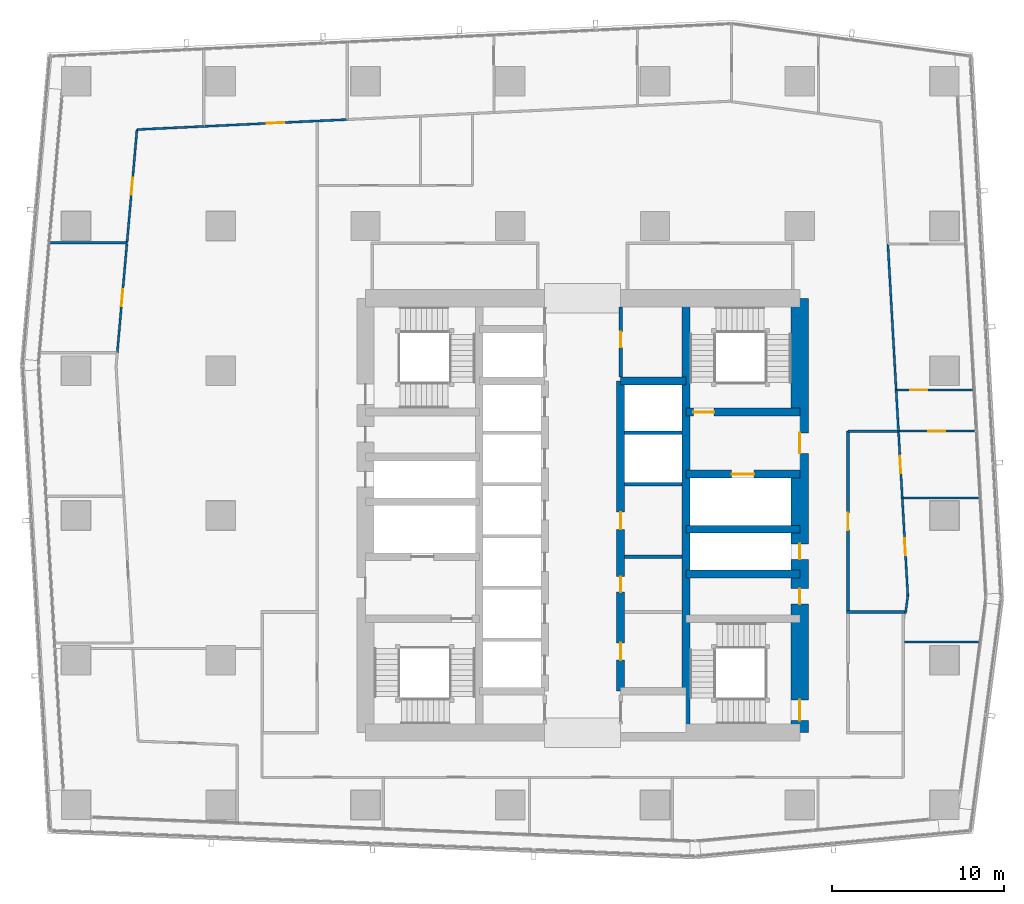
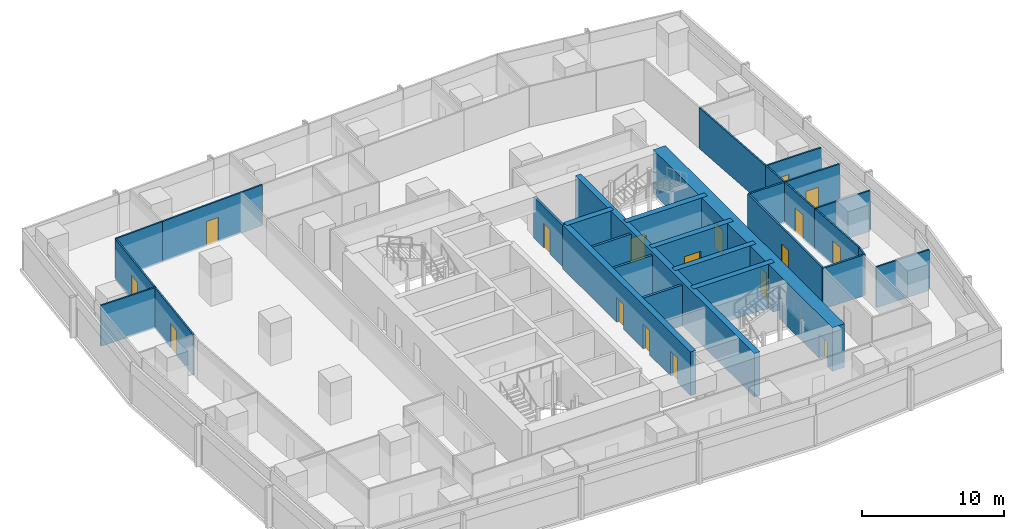
# One storey, part 29 of 39: 29 walls, 18 doors, 18 openings.
"""IFC4 building model written with IfcOpenShell, lengths in metres."""

from ifc_helpers import new_model, si_unit, direction, frame, frame_2d, origin, place, context, subcontext, project, spatial, rectangle, extrude, material, layer, layer_set, type_object, element, fill, save


model = new_model("IFC4")

# Units and contexts
model_context = context("Model", 3, precision=1e-05, world=origin(), true_north=direction((0.0, 1.0)))
body_context = subcontext(model_context, "Body", "Model", "MODEL_VIEW")
ifc_project = project(units=[si_unit("LENGTHUNIT", "METRE"), si_unit("AREAUNIT", "SQUARE_METRE"), si_unit("VOLUMEUNIT", "CUBIC_METRE"), si_unit("PLANEANGLEUNIT", "RADIAN"), si_unit("MASSUNIT", "GRAM", prefix="KILO")], contexts=[model_context])

# Site, building, storey
site_placement = place(None, origin())
site = spatial("IfcSite", under=ifc_project, at=site_placement, CompositionType="ELEMENT")
building_placement = place(site_placement, origin())
building = spatial("IfcBuilding", under=site, at=building_placement, Name="Rekha Terrace Tower", CompositionType="ELEMENT")
storey_placement = place(building_placement, frame((0.0, 0.0, 183.949951171875)))
storey = spatial("IfcBuildingStorey", under=building, at=storey_placement, Name="L46", CompositionType="ELEMENT", Elevation=183.949951171875)

# Wall
ifc_material_1 = material(Name="Concrete M60", Category="concrete")
ifc_layer_1 = layer(ifc_material_1, 0.449951171875)
ifc_layer_set_1 = layer_set([ifc_layer_1], Name="Concrete M60")
wall_type_1 = type_object("IfcWallType", Name="CI3 450 core internal shear wall", PredefinedType="SHEAR", material=ifc_layer_set_1)
wall_1_placement = place(storey_placement, frame((43.800048828125, 21.0, 0.0), z_axis=(0.0, 0.0, 1.0), x_axis=(0.0, 1.0, 0.0)))
element("IfcWall", 1, at=wall_1_placement, inside=storey, type_object=wall_type_1, Name="Core wall X438 L46", PredefinedType="SHEAR", context=body_context, shape_type="SweptSolid", body=[
    extrude(rectangle(XDim=25.199951171875, YDim=0.449951171875, at=frame_2d((12.60009765625, 0.0))), origin(), (0.0, 0.0, 1.0), 3.75),
])

# Wall, openings, doors
wall_2_placement = place(storey_placement, frame((40.0, 23.39990234375, 0.0), z_axis=(0.0, 0.0, 1.0), x_axis=(0.0, 1.0, 0.0)))
wall_2 = element("IfcWall", 2, at=wall_2_placement, inside=storey, type_object=wall_type_1, Name="Core wall X400 L46", PredefinedType="SHEAR", context=body_context, shape_type="SweptSolid", body=[
    extrude(rectangle(XDim=18.0, YDim=0.449951171875, at=frame_2d((9.0, 0.0))), origin(), (0.0, 0.0, 1.0), 3.75),
])
opening_1_placement = place(wall_2_placement, frame((1.800048828125, 0.0, 0.0)))
opening_1 = element("IfcOpeningElement", 3, at=opening_1_placement, cuts=wall_2, Name="Opening D3", PredefinedType="OPENING", context=body_context, shape_type="SweptSolid", body=[
    extrude(rectangle(XDim=1.0, YDim=2.10009765625, at=frame_2d((0.5, 1.050048828125))), frame((0.0, 0.23486328125, 0.0), z_axis=(0.0, -1.0, 0.0), x_axis=(1.0, 0.0, 0.0)), (0.0, 0.0, 1.0), 0.469970703125),
])
opening_2_placement = place(wall_2_placement, frame((5.75, 0.0, 0.0)))
opening_2 = element("IfcOpeningElement", 4, at=opening_2_placement, cuts=wall_2, Name="Opening D5", PredefinedType="OPENING", context=body_context, shape_type="SweptSolid", body=[
    extrude(rectangle(XDim=0.89990234375, YDim=2.10009765625, at=frame_2d((0.449951171875, 1.050048828125))), frame((0.0, 0.23486328125, 0.0), z_axis=(0.0, -1.0, 0.0), x_axis=(1.0, 0.0, 0.0)), (0.0, 0.0, 1.0), 0.469970703125),
])
opening_3_placement = place(wall_2_placement, frame((9.39990234375, 0.0, 0.0)))
opening_3 = element("IfcOpeningElement", 5, at=opening_3_placement, cuts=wall_2, Name="Opening D3", PredefinedType="OPENING", context=body_context, shape_type="SweptSolid", body=[
    extrude(rectangle(XDim=1.0, YDim=2.10009765625, at=frame_2d((0.5, 1.050048828125))), frame((0.0, 0.23486328125, 0.0), z_axis=(0.0, -1.0, 0.0), x_axis=(1.0, 0.0, 0.0)), (0.0, 0.0, 1.0), 0.469970703125),
])
ifc_material_2 = material(Name="Laminated timber fire door", Category="wood")
door_type_1 = type_object("IfcDoorType", Name="D3 1000x2100 WC door", OperationType="SINGLE_SWING_LEFT", PredefinedType="DOOR", material=ifc_material_2)
door_1_placement = place(opening_1_placement, origin())
door_1 = element("IfcDoor", 6, at=door_1_placement, inside=storey, type_object=door_type_1, Name="Door staff wc L46", OperationType="SINGLE_SWING_LEFT", OverallHeight=2.10009765625, OverallWidth=1.0, PredefinedType="DOOR", context=body_context, shape_type="SweptSolid", body=[
    extrude(rectangle(XDim=1.0, YDim=2.10009765625, at=frame_2d((0.5, 1.050048828125))), frame((0.0, 0.02490234375, 0.0), z_axis=(0.0, -1.0, 0.0), x_axis=(1.0, 0.0, 0.0)), (0.0, 0.0, 1.0), 0.050048828125),
])
fill(opening_1, door_1)
door_2_placement = place(opening_3_placement, origin())
door_2 = element("IfcDoor", 7, at=door_2_placement, inside=storey, type_object=door_type_1, Name="Door staff wc L46", OperationType="SINGLE_SWING_LEFT", OverallHeight=2.10009765625, OverallWidth=1.0, PredefinedType="DOOR", context=body_context, shape_type="SweptSolid", body=[
    extrude(rectangle(XDim=1.0, YDim=2.10009765625, at=frame_2d((0.5, 1.050048828125))), frame((0.0, 0.02490234375, 0.0), z_axis=(0.0, -1.0, 0.0), x_axis=(1.0, 0.0, 0.0)), (0.0, 0.0, 1.0), 0.050048828125),
])
fill(opening_3, door_2)
ifc_material_3 = material(Name="Steel fire door", Category="steel")
door_type_2 = type_object("IfcDoorType", Name="D5 900x2100 riser access door", OperationType="SINGLE_SWING_LEFT", PredefinedType="DOOR", material=ifc_material_3)
door_3_placement = place(opening_2_placement, origin())
door_3 = element("IfcDoor", 8, at=door_3_placement, inside=storey, type_object=door_type_2, Name="Door records store L46", OperationType="SINGLE_SWING_LEFT", OverallHeight=2.10009765625, OverallWidth=0.89990234375, PredefinedType="DOOR", context=body_context, shape_type="SweptSolid", body=[
    extrude(rectangle(XDim=0.89990234375, YDim=2.10009765625, at=frame_2d((0.449951171875, 1.050048828125))), frame((0.0, 0.02490234375, 0.0), z_axis=(0.0, -1.0, 0.0), x_axis=(1.0, 0.0, 0.0)), (0.0, 0.0, 1.0), 0.050048828125),
])
fill(opening_2, door_3)

# Walls
wall_3_placement = place(storey_placement, frame((40.0, 41.39990234375, 0.0), z_axis=(0.0, 0.0, 1.0), x_axis=(1.0, 0.0, 0.0)))
element("IfcWall", 9, at=wall_3_placement, inside=storey, type_object=wall_type_1, Name="Core wall Y414E L46", PredefinedType="SHEAR", context=body_context, shape_type="SweptSolid", body=[
    extrude(rectangle(XDim=3.800048828125, YDim=0.449951171875, at=frame_2d((1.89990234375, 0.0))), origin(), (0.0, 0.0, 1.0), 3.75),
])
for number, where, z_axis, x_axis, name in (
    (10, (43.800048828125, 30.199951171875, 0.0), (0.0, 0.0, 1.0), (1.0, 0.0, 0.0), "Core wall Y302E L46"),
    (11, (43.800048828125, 32.800048828125, 0.0), (0.0, 0.0, 1.0), (1.0, 0.0, 0.0), "Core wall Y328E L46"),
):
    element("IfcWall", number, at=place(storey_placement, frame(where, z_axis=z_axis, x_axis=x_axis)), inside=storey, type_object=wall_type_1, Name=name, PredefinedType="SHEAR", context=body_context, shape_type="SweptSolid", body=[
        extrude(rectangle(XDim=6.599853515625, YDim=0.449951171875, at=frame_2d((3.2998046875, 0.0))), origin(), (0.0, 0.0, 1.0), 3.75),
    ])

# Wall, opening, door
wall_4_placement = place(storey_placement, frame((43.800048828125, 36.0, 0.0), z_axis=(0.0, 0.0, 1.0), x_axis=(1.0, 0.0, 0.0)))
wall_4 = element("IfcWall", 12, at=wall_4_placement, inside=storey, type_object=wall_type_1, Name="Core wall Y360E L46", PredefinedType="SHEAR", context=body_context, shape_type="SweptSolid", body=[
    extrude(rectangle(XDim=6.599853515625, YDim=0.449951171875, at=frame_2d((3.2998046875, 0.0))), origin(), (0.0, 0.0, 1.0), 3.75),
])
opening_4_placement = place(wall_4_placement, frame((2.64990234375, 0.0, 0.0)))
opening_4 = element("IfcOpeningElement", 13, at=opening_4_placement, cuts=wall_4, Name="Opening LD2", PredefinedType="OPENING", context=body_context, shape_type="SweptSolid", body=[
    extrude(rectangle(XDim=1.300048828125, YDim=2.10009765625, at=frame_2d((0.64990234375, 1.050048828125))), frame((0.0, 0.23486328125, 0.0), z_axis=(0.0, -1.0, 0.0), x_axis=(1.0, 0.0, 0.0)), (0.0, 0.0, 1.0), 0.469970703125),
])
ifc_material_4 = material(Name="Stainless steel sliding landing door", Category="steel")
door_type_3 = type_object("IfcDoorType", Name="LD2 1300x2100 fire lift landing door", OperationType="SLIDING_TO_LEFT", PredefinedType="USERDEFINED", material=ifc_material_4)
door_4_placement = place(opening_4_placement, origin())
door_4 = element("IfcDoor", 14, at=door_4_placement, inside=storey, type_object=door_type_3, Name="Lift FL2 landing door L46", ObjectType="LIFT LANDING DOOR", OperationType="SLIDING_TO_LEFT", OverallHeight=2.10009765625, OverallWidth=1.300048828125, PredefinedType="USERDEFINED", context=body_context, shape_type="SweptSolid", body=[
    extrude(rectangle(XDim=1.300048828125, YDim=2.10009765625, at=frame_2d((0.64990234375, 1.050048828125))), frame((0.0, 0.02490234375, 0.0), z_axis=(0.0, -1.0, 0.0), x_axis=(1.0, 0.0, 0.0)), (0.0, 0.0, 1.0), 0.050048828125),
])
fill(opening_4, door_4)

wall_5_placement = place(storey_placement, frame((43.800048828125, 39.60009765625, 0.0), z_axis=(0.0, 0.0, 1.0), x_axis=(1.0, 0.0, 0.0)))
wall_5 = element("IfcWall", 15, at=wall_5_placement, inside=storey, type_object=wall_type_1, Name="Core wall Y396E L46", PredefinedType="SHEAR", context=body_context, shape_type="SweptSolid", body=[
    extrude(rectangle(XDim=6.599853515625, YDim=0.449951171875, at=frame_2d((3.2998046875, 0.0))), origin(), (0.0, 0.0, 1.0), 3.75),
])
opening_5_placement = place(wall_5_placement, frame((0.425048828125, 0.0, 0.0)))
opening_5 = element("IfcOpeningElement", 16, at=opening_5_placement, cuts=wall_5, Name="Opening D1", PredefinedType="OPENING", context=body_context, shape_type="SweptSolid", body=[
    extrude(rectangle(XDim=1.199951171875, YDim=2.10009765625, at=frame_2d((0.60009765625, 1.050048828125))), frame((0.0, 0.23486328125, 0.0), z_axis=(0.0, -1.0, 0.0), x_axis=(1.0, 0.0, 0.0)), (0.0, 0.0, 1.0), 0.469970703125),
])
door_type_4 = type_object("IfcDoorType", Name="D1 1200x2100 stair fire door", OperationType="SINGLE_SWING_RIGHT", PredefinedType="DOOR", material=ifc_material_3)
door_5_placement = place(opening_5_placement, origin())
door_5 = element("IfcDoor", 17, at=door_5_placement, inside=storey, type_object=door_type_4, Name="Stair ST2 door L46", OperationType="SINGLE_SWING_RIGHT", OverallHeight=2.10009765625, OverallWidth=1.199951171875, PredefinedType="DOOR", context=body_context, shape_type="SweptSolid", body=[
    extrude(rectangle(XDim=1.199951171875, YDim=2.10009765625, at=frame_2d((0.60009765625, 1.050048828125))), frame((0.0, 0.02490234375, 0.0), z_axis=(0.0, -1.0, 0.0), x_axis=(1.0, 0.0, 0.0)), (0.0, 0.0, 1.0), 0.050048828125),
])
fill(opening_5, door_5)

# Wall, openings, doors
ifc_layer_2 = layer(ifc_material_1, 1.0)
ifc_layer_set_2 = layer_set([ifc_layer_2], Name="Concrete M60")
wall_type_2 = type_object("IfcWallType", Name="SW3 1000 core outer shear wall", PredefinedType="SHEAR", material=ifc_layer_set_2)
wall_6_placement = place(storey_placement, frame((50.39990234375, 21.0, 0.0), z_axis=(0.0, 0.0, 1.0), x_axis=(0.0, 1.0, 0.0)))
wall_6 = element("IfcWall", 18, at=wall_6_placement, inside=storey, type_object=wall_type_2, Name="Core wall E L46", PredefinedType="SHEAR", context=body_context, shape_type="SweptSolid", body=[
    extrude(rectangle(XDim=25.199951171875, YDim=1.0, at=frame_2d((12.60009765625, 0.0))), origin(), (0.0, 0.0, 1.0), 3.75),
])
opening_6_placement = place(wall_6_placement, frame((16.199951171875, 0.0, 0.0)))
opening_6 = element("IfcOpeningElement", 19, at=opening_6_placement, cuts=wall_6, Name="Opening D2", PredefinedType="OPENING", context=body_context, shape_type="SweptSolid", body=[
    extrude(rectangle(XDim=1.199951171875, YDim=2.10009765625, at=frame_2d((0.60009765625, 1.050048828125))), frame((0.0, 0.510009765625, 0.0), z_axis=(0.0, -1.0, 0.0), x_axis=(1.0, 0.0, 0.0)), (0.0, 0.0, 1.0), 1.02001953125),
])
opening_7_placement = place(wall_6_placement, frame((10.050048828125, 0.0, 0.0)))
opening_7 = element("IfcOpeningElement", 20, at=opening_7_placement, cuts=wall_6, Name="Opening D5", PredefinedType="OPENING", context=body_context, shape_type="SweptSolid", body=[
    extrude(rectangle(XDim=0.89990234375, YDim=2.10009765625, at=frame_2d((0.449951171875, 1.050048828125))), frame((0.0, 0.510009765625, 0.0), z_axis=(0.0, -1.0, 0.0), x_axis=(1.0, 0.0, 0.0)), (0.0, 0.0, 1.0), 1.02001953125),
])
opening_8_placement = place(wall_6_placement, frame((7.449951171875, 0.0, 0.0)))
opening_8 = element("IfcOpeningElement", 21, at=opening_8_placement, cuts=wall_6, Name="Opening D5", PredefinedType="OPENING", context=body_context, shape_type="SweptSolid", body=[
    extrude(rectangle(XDim=0.89990234375, YDim=2.10009765625, at=frame_2d((0.449951171875, 1.050048828125))), frame((0.0, 0.510009765625, 0.0), z_axis=(0.0, -1.0, 0.0), x_axis=(1.0, 0.0, 0.0)), (0.0, 0.0, 1.0), 1.02001953125),
])
opening_9_placement = place(wall_6_placement, frame((0.699951171875, 0.0, 0.0)))
opening_9 = element("IfcOpeningElement", 22, at=opening_9_placement, cuts=wall_6, Name="Opening D1", PredefinedType="OPENING", context=body_context, shape_type="SweptSolid", body=[
    extrude(rectangle(XDim=1.199951171875, YDim=2.10009765625, at=frame_2d((0.60009765625, 1.050048828125))), frame((0.0, 0.510009765625, 0.0), z_axis=(0.0, -1.0, 0.0), x_axis=(1.0, 0.0, 0.0)), (0.0, 0.0, 1.0), 1.02001953125),
])
door_6_placement = place(opening_9_placement, origin())
door_6 = element("IfcDoor", 23, at=door_6_placement, inside=storey, type_object=door_type_4, Name="Stair ST3 door L46", OperationType="SINGLE_SWING_RIGHT", OverallHeight=2.10009765625, OverallWidth=1.199951171875, PredefinedType="DOOR", context=body_context, shape_type="SweptSolid", body=[
    extrude(rectangle(XDim=1.199951171875, YDim=2.10009765625, at=frame_2d((0.60009765625, 1.050048828125))), frame((0.0, 0.02490234375, 0.0), z_axis=(0.0, -1.0, 0.0), x_axis=(1.0, 0.0, 0.0)), (0.0, 0.0, 1.0), 0.050048828125),
])
fill(opening_9, door_6)
door_type_5 = type_object("IfcDoorType", Name="D2 1200x2100 firefighting lobby door", OperationType="SINGLE_SWING_LEFT", PredefinedType="DOOR", material=ifc_material_3)
door_7_placement = place(opening_6_placement, origin())
door_7 = element("IfcDoor", 24, at=door_7_placement, inside=storey, type_object=door_type_5, Name="Door flb2 L46", OperationType="SINGLE_SWING_LEFT", OverallHeight=2.10009765625, OverallWidth=1.199951171875, PredefinedType="DOOR", context=body_context, shape_type="SweptSolid", body=[
    extrude(rectangle(XDim=1.199951171875, YDim=2.10009765625, at=frame_2d((0.60009765625, 1.050048828125))), frame((0.0, 0.02490234375, 0.0), z_axis=(0.0, -1.0, 0.0), x_axis=(1.0, 0.0, 0.0)), (0.0, 0.0, 1.0), 0.050048828125),
])
fill(opening_6, door_7)
door_8_placement = place(opening_7_placement, origin())
door_8 = element("IfcDoor", 25, at=door_8_placement, inside=storey, type_object=door_type_2, Name="Door rs2 L46", OperationType="SINGLE_SWING_LEFT", OverallHeight=2.10009765625, OverallWidth=0.89990234375, PredefinedType="DOOR", context=body_context, shape_type="SweptSolid", body=[
    extrude(rectangle(XDim=0.89990234375, YDim=2.10009765625, at=frame_2d((0.449951171875, 1.050048828125))), frame((0.0, 0.02490234375, 0.0), z_axis=(0.0, -1.0, 0.0), x_axis=(1.0, 0.0, 0.0)), (0.0, 0.0, 1.0), 0.050048828125),
])
fill(opening_7, door_8)
door_9_placement = place(opening_8_placement, origin())
door_9 = element("IfcDoor", 26, at=door_9_placement, inside=storey, type_object=door_type_2, Name="Door ele L46", OperationType="SINGLE_SWING_LEFT", OverallHeight=2.10009765625, OverallWidth=0.89990234375, PredefinedType="DOOR", context=body_context, shape_type="SweptSolid", body=[
    extrude(rectangle(XDim=0.89990234375, YDim=2.10009765625, at=frame_2d((0.449951171875, 1.050048828125))), frame((0.0, 0.02490234375, 0.0), z_axis=(0.0, -1.0, 0.0), x_axis=(1.0, 0.0, 0.0)), (0.0, 0.0, 1.0), 0.050048828125),
])
fill(opening_8, door_9)

# Wall
ifc_material_5 = material(Name="Concrete block masonry, 1 hour", Category="masonry")
ifc_layer_3 = layer(ifc_material_5, 0.14990234375)
ifc_layer_set_3 = layer_set([ifc_layer_3], Name="Concrete block masonry, 1 hour")
wall_type_3 = type_object("IfcWallType", Name="WP2 150 tenancy partition", PredefinedType="PARTITIONING", material=ifc_layer_set_3)
wall_7_placement = place(storey_placement, frame((53.125, 28.0, 0.0), z_axis=(0.0, 0.0, 1.0), x_axis=(1.0, 0.0, 0.0)))
element("IfcWall", 27, at=wall_7_placement, inside=storey, type_object=wall_type_3, Name="Men's WC wall L46", PredefinedType="PARTITIONING", context=body_context, shape_type="SweptSolid", body=[
    extrude(rectangle(XDim=3.35009765625, YDim=0.14990234375, at=frame_2d((1.675048828125, 0.0))), origin(), (0.0, 0.0, 1.0), 3.5),
])

# Wall, opening, door
wall_8_placement = place(storey_placement, frame((53.199951171875, 28.074951171875, 0.0), z_axis=(0.0, 0.0, 1.0), x_axis=(0.0, 1.0, 0.0)))
wall_8 = element("IfcWall", 28, at=wall_8_placement, inside=storey, type_object=wall_type_3, Name="Partition L46-O1", PredefinedType="PARTITIONING", context=body_context, shape_type="SweptSolid", body=[
    extrude(rectangle(XDim=10.4189453125, YDim=0.14990234375, at=frame_2d((5.20947265625, 0.0))), origin(), (0.0, 0.0, 1.0), 3.5),
])
opening_10_placement = place(wall_8_placement, frame((4.672119140625, 0.0, 0.0)))
opening_10 = element("IfcOpeningElement", 29, at=opening_10_placement, cuts=wall_8, Name="Opening D9", PredefinedType="OPENING", context=body_context, shape_type="SweptSolid", body=[
    extrude(rectangle(XDim=1.0, YDim=2.10009765625, at=frame_2d((0.5, 1.050048828125))), frame((0.0, 0.0849609375, 0.0), z_axis=(0.0, -1.0, 0.0), x_axis=(1.0, 0.0, 0.0)), (0.0, 0.0, 1.0), 0.169921875),
])
ifc_material_6 = material(Name="Timber fire door", Category="wood")
door_type_6 = type_object("IfcDoorType", Name="D9 1000x2100 office door", OperationType="SINGLE_SWING_LEFT", PredefinedType="DOOR", material=ifc_material_6)
door_10_placement = place(opening_10_placement, origin())
door_10 = element("IfcDoor", 30, at=door_10_placement, inside=storey, type_object=door_type_6, Name="Door open-plan office L46", OperationType="SINGLE_SWING_LEFT", OverallHeight=2.10009765625, OverallWidth=1.0, PredefinedType="DOOR", context=body_context, shape_type="SweptSolid", body=[
    extrude(rectangle(XDim=1.0, YDim=2.10009765625, at=frame_2d((0.5, 1.050048828125))), frame((0.0, 0.02490234375, 0.0), z_axis=(0.0, -1.0, 0.0), x_axis=(1.0, 0.0, 0.0)), (0.0, 0.0, 1.0), 0.050048828125),
])
fill(opening_10, door_10)

# Walls
wall_9_placement = place(storey_placement, frame((53.199951171875, 38.493896484375, 0.0), z_axis=(0.0, 0.0, 1.0), x_axis=(1.0, 0.0, 0.0)))
element("IfcWall", 31, at=wall_9_placement, inside=storey, type_object=wall_type_3, Name="Partition L46-O1", PredefinedType="PARTITIONING", context=body_context, shape_type="SweptSolid", body=[
    extrude(rectangle(XDim=2.927001953125, YDim=0.14990234375, at=frame_2d((1.46337890625, 0.0))), origin(), (0.0, 0.0, 1.0), 3.5),
])
ifc_material_7 = material(Name="Two layers of fire-rated gypsum board each side on steel studs, acoustic quilt, 1 hour", Category="steel")
ifc_layer_4 = layer(ifc_material_7, 0.125)
ifc_layer_set_4 = layer_set([ifc_layer_4], Name="Two layers of fire-rated gypsum board each side on steel studs, acoustic quilt, 1 hour")
wall_type_4 = type_object("IfcWallType", Name="WP3 125 office partition", PredefinedType="PARTITIONING", material=ifc_layer_set_4)
wall_10_placement = place(storey_placement, frame((56.47509765625, 26.2548828125, 0.0), z_axis=(0.0, 0.0, 1.0), x_axis=(1.0, 0.0, 0.0)))
element("IfcWall", 32, at=wall_10_placement, inside=storey, type_object=wall_type_4, Name="Partition L46-04", PredefinedType="PARTITIONING", context=body_context, shape_type="SweptSolid", body=[
    extrude(rectangle(XDim=4.2958984375, YDim=0.125, at=frame_2d((2.14794921875, 0.0))), origin(), (0.0, 0.0, 1.0), 3.5),
])

# Wall, opening, door
wall_11_placement = place(storey_placement, frame((56.6689453125, 28.948974609375, 0.0), z_axis=(0.0, 0.0, 1.0), x_axis=(-0.05664130847, 0.998394592421, 0.0)))
wall_11 = element("IfcWall", 33, at=wall_11_placement, inside=storey, type_object=wall_type_4, Name="Partition L46-05", PredefinedType="PARTITIONING", context=body_context, shape_type="SweptSolid", body=[
    extrude(rectangle(XDim=5.66796875, YDim=0.125, at=frame_2d((2.833984375, 0.0))), origin(), (0.0, 0.0, 1.0), 3.5),
])
opening_11_placement = place(wall_11_placement, frame((2.333984375, 0.0, 0.0)))
opening_11 = element("IfcOpeningElement", 34, at=opening_11_placement, cuts=wall_11, Name="Opening D9", PredefinedType="OPENING", context=body_context, shape_type="SweptSolid", body=[
    extrude(rectangle(XDim=1.0, YDim=2.10009765625, at=frame_2d((0.5, 1.050048828125))), frame((0.0, 0.072509765625, 0.0), z_axis=(0.0, -1.0, 0.0), x_axis=(1.0, 0.0, 0.0)), (0.0, 0.0, 1.0), 0.14501953125),
])
door_11_placement = place(opening_11_placement, origin())
door_11 = element("IfcDoor", 35, at=door_11_placement, inside=storey, type_object=door_type_6, Name="Door office L46", OperationType="SINGLE_SWING_LEFT", OverallHeight=2.10009765625, OverallWidth=1.0, PredefinedType="DOOR", context=body_context, shape_type="SweptSolid", body=[
    extrude(rectangle(XDim=1.0, YDim=2.10009765625, at=frame_2d((0.5, 1.050048828125))), frame((0.0, 0.02490234375, 0.0), z_axis=(0.0, -1.0, 0.0), x_axis=(1.0, 0.0, 0.0)), (0.0, 0.0, 1.0), 0.050048828125),
])
fill(opening_11, door_11)

# Walls
wall_12_placement = place(storey_placement, frame((56.347900390625, 34.60791015625, 0.0), z_axis=(0.0, 0.0, 1.0), x_axis=(1.0, 0.0, 0.0)))
element("IfcWall", 36, at=wall_12_placement, inside=storey, type_object=wall_type_4, Name="Partition L46-05", PredefinedType="PARTITIONING", context=body_context, shape_type="SweptSolid", body=[
    extrude(rectangle(XDim=4.45703125, YDim=0.125, at=frame_2d((2.228515625, 0.0))), origin(), (0.0, 0.0, 1.0), 3.5),
])
wall_13_placement = place(storey_placement, frame((56.532958984375, 27.91796875, 0.0), z_axis=(0.0, 0.0, 1.0), x_axis=(0.130764223689, 0.991413494866, 0.0)))
element("IfcWall", 37, at=wall_13_placement, inside=storey, type_object=wall_type_4, Name="Partition L46-05", PredefinedType="PARTITIONING", context=body_context, shape_type="SweptSolid", body=[
    extrude(rectangle(XDim=1.0400390625, YDim=0.125, at=frame_2d((0.52001953125, 0.0))), origin(), (0.0, 0.0, 1.0), 3.5),
])

# Wall, opening, door
wall_14_placement = place(storey_placement, frame((56.347900390625, 34.60888671875, 0.0), z_axis=(0.0, 0.0, 1.0), x_axis=(-0.056779989764, 0.998386715037, 0.0)))
wall_14 = element("IfcWall", 38, at=wall_14_placement, inside=storey, type_object=wall_type_4, Name="Partition L46-06", PredefinedType="PARTITIONING", context=body_context, shape_type="SweptSolid", body=[
    extrude(rectangle(XDim=3.891357421875, YDim=0.125, at=frame_2d((1.94580078125, 0.0))), origin(), (0.0, 0.0, 1.0), 3.5),
])
opening_12_placement = place(wall_14_placement, frame((1.446044921875, 0.0, 0.0)))
opening_12 = element("IfcOpeningElement", 39, at=opening_12_placement, cuts=wall_14, Name="Opening D9", PredefinedType="OPENING", context=body_context, shape_type="SweptSolid", body=[
    extrude(rectangle(XDim=1.0, YDim=2.10009765625, at=frame_2d((0.5, 1.050048828125))), frame((0.0, 0.072509765625, 0.0), z_axis=(0.0, -1.0, 0.0), x_axis=(1.0, 0.0, 0.0)), (0.0, 0.0, 1.0), 0.14501953125),
])
door_12_placement = place(opening_12_placement, origin())
door_12 = element("IfcDoor", 40, at=door_12_placement, inside=storey, type_object=door_type_6, Name="Door office L46", OperationType="SINGLE_SWING_LEFT", OverallHeight=2.10009765625, OverallWidth=1.0, PredefinedType="DOOR", context=body_context, shape_type="SweptSolid", body=[
    extrude(rectangle(XDim=1.0, YDim=2.10009765625, at=frame_2d((0.5, 1.050048828125))), frame((0.0, 0.02490234375, 0.0), z_axis=(0.0, -1.0, 0.0), x_axis=(1.0, 0.0, 0.0)), (0.0, 0.0, 1.0), 0.050048828125),
])
fill(opening_12, door_12)

wall_15_placement = place(storey_placement, frame((56.126953125, 38.493896484375, 0.0), z_axis=(0.0, 0.0, 1.0), x_axis=(1.0, 0.0, 0.0)))
wall_15 = element("IfcWall", 41, at=wall_15_placement, inside=storey, type_object=wall_type_4, Name="Partition L46-06", PredefinedType="PARTITIONING", context=body_context, shape_type="SweptSolid", body=[
    extrude(rectangle(XDim=4.427978515625, YDim=0.125, at=frame_2d((2.2138671875, 0.0))), origin(), (0.0, 0.0, 1.0), 3.5),
])
opening_13_placement = place(wall_15_placement, frame((1.714111328125, 0.0, 0.0)))
opening_13 = element("IfcOpeningElement", 42, at=opening_13_placement, cuts=wall_15, Name="Opening D9", PredefinedType="OPENING", context=body_context, shape_type="SweptSolid", body=[
    extrude(rectangle(XDim=1.0, YDim=2.10009765625, at=frame_2d((0.5, 1.050048828125))), frame((0.0, 0.072509765625, 0.0), z_axis=(0.0, -1.0, 0.0), x_axis=(1.0, 0.0, 0.0)), (0.0, 0.0, 1.0), 0.14501953125),
])
door_13_placement = place(opening_13_placement, origin())
door_13 = element("IfcDoor", 43, at=door_13_placement, inside=storey, type_object=door_type_6, Name="Door office L46", OperationType="SINGLE_SWING_LEFT", OverallHeight=2.10009765625, OverallWidth=1.0, PredefinedType="DOOR", context=body_context, shape_type="SweptSolid", body=[
    extrude(rectangle(XDim=1.0, YDim=2.10009765625, at=frame_2d((0.5, 1.050048828125))), frame((0.0, 0.02490234375, 0.0), z_axis=(0.0, -1.0, 0.0), x_axis=(1.0, 0.0, 0.0)), (0.0, 0.0, 1.0), 0.050048828125),
])
fill(opening_13, door_13)

# Wall
wall_16_placement = place(storey_placement, frame((56.126953125, 38.4951171875, 0.0), z_axis=(0.0, 0.0, 1.0), x_axis=(-0.056546005431, 0.998399994626, 0.0)))
element("IfcWall", 44, at=wall_16_placement, inside=storey, type_object=wall_type_4, Name="Partition L46-10", PredefinedType="PARTITIONING", context=body_context, shape_type="SweptSolid", body=[
    extrude(rectangle(XDim=2.3876953125, YDim=0.125, at=frame_2d((1.19384765625, 0.0))), origin(), (0.0, 0.0, 1.0), 3.5),
])

# Wall, opening, door
wall_17_placement = place(storey_placement, frame((55.991943359375, 40.87890625, 0.0), z_axis=(0.0, 0.0, 1.0), x_axis=(1.0, 0.0, 0.0)))
wall_17 = element("IfcWall", 45, at=wall_17_placement, inside=storey, type_object=wall_type_4, Name="Partition L46-10", PredefinedType="PARTITIONING", context=body_context, shape_type="SweptSolid", body=[
    extrude(rectangle(XDim=4.45703125, YDim=0.125, at=frame_2d((2.228515625, 0.0))), origin(), (0.0, 0.0, 1.0), 3.5),
])
opening_14_placement = place(wall_17_placement, frame((0.81396484375, 0.0, 0.0)))
opening_14 = element("IfcOpeningElement", 46, at=opening_14_placement, cuts=wall_17, Name="Opening D9", PredefinedType="OPENING", context=body_context, shape_type="SweptSolid", body=[
    extrude(rectangle(XDim=1.0, YDim=2.10009765625, at=frame_2d((0.5, 1.050048828125))), frame((0.0, 0.072509765625, 0.0), z_axis=(0.0, -1.0, 0.0), x_axis=(1.0, 0.0, 0.0)), (0.0, 0.0, 1.0), 0.14501953125),
])
door_14_placement = place(opening_14_placement, origin())
door_14 = element("IfcDoor", 47, at=door_14_placement, inside=storey, type_object=door_type_6, Name="Door office L46", OperationType="SINGLE_SWING_LEFT", OverallHeight=2.10009765625, OverallWidth=1.0, PredefinedType="DOOR", context=body_context, shape_type="SweptSolid", body=[
    extrude(rectangle(XDim=1.0, YDim=2.10009765625, at=frame_2d((0.5, 1.050048828125))), frame((0.0, 0.02490234375, 0.0), z_axis=(0.0, -1.0, 0.0), x_axis=(1.0, 0.0, 0.0)), (0.0, 0.0, 1.0), 0.050048828125),
])
fill(opening_14, door_14)

# Wall
wall_18_placement = place(storey_placement, frame((55.991943359375, 40.8798828125, 0.0), z_axis=(0.0, 0.0, 1.0), x_axis=(-0.056603741884, 0.998396722954, 0.0)))
element("IfcWall", 48, at=wall_18_placement, inside=storey, type_object=wall_type_4, Name="Partition L46-11", PredefinedType="PARTITIONING", context=body_context, shape_type="SweptSolid", body=[
    extrude(rectangle(XDim=8.479736328125, YDim=0.125, at=frame_2d((4.23974609375, 0.0))), origin(), (0.0, 0.0, 1.0), 3.5),
])

# Wall, opening, door
wall_19_placement = place(storey_placement, frame((24.14208984375, 56.575927734375, 0.0), z_axis=(0.0, 0.0, 1.0), x_axis=(-0.998859773086, -0.047740482938, 0.0)))
wall_19 = element("IfcWall", 49, at=wall_19_placement, inside=storey, type_object=wall_type_4, Name="Partition L46-17", PredefinedType="PARTITIONING", context=body_context, shape_type="SweptSolid", body=[
    extrude(rectangle(XDim=8.335693359375, YDim=0.125, at=frame_2d((4.16796875, 0.0))), origin(), (0.0, 0.0, 1.0), 3.5),
])
opening_15_placement = place(wall_19_placement, frame((3.66796875, 0.0, 0.0)))
opening_15 = element("IfcOpeningElement", 50, at=opening_15_placement, cuts=wall_19, Name="Opening D9", PredefinedType="OPENING", context=body_context, shape_type="SweptSolid", body=[
    extrude(rectangle(XDim=1.0, YDim=2.10009765625, at=frame_2d((0.5, 1.050048828125))), frame((0.0, 0.072509765625, 0.0), z_axis=(0.0, -1.0, 0.0), x_axis=(1.0, 0.0, 0.0)), (0.0, 0.0, 1.0), 0.14501953125),
])
door_15_placement = place(opening_15_placement, origin())
door_15 = element("IfcDoor", 51, at=door_15_placement, inside=storey, type_object=door_type_6, Name="Door office L46", OperationType="SINGLE_SWING_LEFT", OverallHeight=2.10009765625, OverallWidth=1.0, PredefinedType="DOOR", context=body_context, shape_type="SweptSolid", body=[
    extrude(rectangle(XDim=1.0, YDim=2.10009765625, at=frame_2d((0.5, 1.050048828125))), frame((0.0, 0.02490234375, 0.0), z_axis=(0.0, -1.0, 0.0), x_axis=(1.0, 0.0, 0.0)), (0.0, 0.0, 1.0), 0.050048828125),
])
fill(opening_15, door_15)

# Walls
wall_20_placement = place(storey_placement, frame((11.35888671875, 49.427978515625, 0.0), z_axis=(0.0, 0.0, 1.0), x_axis=(-1.0, 0.0, 0.0)))
element("IfcWall", 52, at=wall_20_placement, inside=storey, type_object=wall_type_4, Name="Partition L46-18", PredefinedType="PARTITIONING", context=body_context, shape_type="SweptSolid", body=[
    extrude(rectangle(XDim=4.43798828125, YDim=0.125, at=frame_2d((2.218994140625, 0.0))), origin(), (0.0, 0.0, 1.0), 3.5),
])
wall_21_placement = place(storey_placement, frame((15.81494140625, 56.177978515625, 0.0), z_axis=(0.0, 0.0, 1.0), x_axis=(-0.998862723519, -0.047678711866, 0.0)))
element("IfcWall", 53, at=wall_21_placement, inside=storey, type_object=wall_type_4, Name="Partition L46-18", PredefinedType="PARTITIONING", context=body_context, shape_type="SweptSolid", body=[
    extrude(rectangle(XDim=3.88134765625, YDim=0.125, at=frame_2d((1.940673828125, 0.0))), origin(), (0.0, 0.0, 1.0), 3.5),
])

# Wall, opening, door
wall_22_placement = place(storey_placement, frame((11.93798828125, 55.992919921875, 0.0), z_axis=(0.0, 0.0, 1.0), x_axis=(-0.087870025349, -0.996131948411, 0.0)))
wall_22 = element("IfcWall", 54, at=wall_22_placement, inside=storey, type_object=wall_type_4, Name="Partition L46-18", PredefinedType="PARTITIONING", context=body_context, shape_type="SweptSolid", body=[
    extrude(rectangle(XDim=6.59033203125, YDim=0.125, at=frame_2d((3.295166015625, 0.0))), origin(), (0.0, 0.0, 1.0), 3.5),
])
opening_16_placement = place(wall_22_placement, frame((2.794921875, 0.0, 0.0)))
opening_16 = element("IfcOpeningElement", 55, at=opening_16_placement, cuts=wall_22, Name="Opening D9", PredefinedType="OPENING", context=body_context, shape_type="SweptSolid", body=[
    extrude(rectangle(XDim=1.0, YDim=2.10009765625, at=frame_2d((0.5, 1.050048828125))), frame((0.0, 0.072509765625, 0.0), z_axis=(0.0, -1.0, 0.0), x_axis=(1.0, 0.0, 0.0)), (0.0, 0.0, 1.0), 0.14501953125),
])
door_16_placement = place(opening_16_placement, origin())
door_16 = element("IfcDoor", 56, at=door_16_placement, inside=storey, type_object=door_type_6, Name="Door director's office L46", OperationType="SINGLE_SWING_LEFT", OverallHeight=2.10009765625, OverallWidth=1.0, PredefinedType="DOOR", context=body_context, shape_type="SweptSolid", body=[
    extrude(rectangle(XDim=1.0, YDim=2.10009765625, at=frame_2d((0.5, 1.050048828125))), frame((0.0, 0.02490234375, 0.0), z_axis=(0.0, -1.0, 0.0), x_axis=(1.0, 0.0, 0.0)), (0.0, 0.0, 1.0), 0.050048828125),
])
fill(opening_16, door_16)

wall_23_placement = place(storey_placement, frame((11.35302734375, 49.364990234375, 0.0), z_axis=(0.0, 0.0, 1.0), x_axis=(-0.087964559847, -0.996123604886, 0.0)))
wall_23 = element("IfcWall", 57, at=wall_23_placement, inside=storey, type_object=wall_type_4, Name="Partition L46-19", PredefinedType="PARTITIONING", context=body_context, shape_type="SweptSolid", body=[
    extrude(rectangle(XDim=6.3447265625, YDim=0.125, at=frame_2d((3.17236328125, 0.0))), origin(), (0.0, 0.0, 1.0), 3.5),
])
opening_17_placement = place(wall_23_placement, frame((2.64111328125, 0.0, 0.0)))
opening_17 = element("IfcOpeningElement", 58, at=opening_17_placement, cuts=wall_23, Name="Opening D9", PredefinedType="OPENING", context=body_context, shape_type="SweptSolid", body=[
    extrude(rectangle(XDim=1.0, YDim=2.10009765625, at=frame_2d((0.5, 1.050048828125))), frame((0.0, 0.072509765625, 0.0), z_axis=(0.0, -1.0, 0.0), x_axis=(1.0, 0.0, 0.0)), (0.0, 0.0, 1.0), 0.14501953125),
])
door_17_placement = place(opening_17_placement, origin())
door_17 = element("IfcDoor", 59, at=door_17_placement, inside=storey, type_object=door_type_6, Name="Door meeting room L46", OperationType="SINGLE_SWING_LEFT", OverallHeight=2.10009765625, OverallWidth=1.0, PredefinedType="DOOR", context=body_context, shape_type="SweptSolid", body=[
    extrude(rectangle(XDim=1.0, YDim=2.10009765625, at=frame_2d((0.5, 1.050048828125))), frame((0.0, 0.02490234375, 0.0), z_axis=(0.0, -1.0, 0.0), x_axis=(1.0, 0.0, 0.0)), (0.0, 0.0, 1.0), 0.050048828125),
])
fill(opening_17, door_17)

# Walls
ifc_material_8 = material(Name="Solid concrete block masonry, 2 hour", Category="masonry")
ifc_layer_5 = layer(ifc_material_8, 0.199951171875)
ifc_layer_set_5 = layer_set([ifc_layer_5], Name="Solid concrete block masonry, 2 hour")
wall_type_5 = type_object("IfcWallType", Name="WS1 200 stair and shaft enclosure", PredefinedType="PARTITIONING", material=ifc_layer_set_5)
for number, where, z_axis, x_axis, name in (
    (60, (40.22509765625, 35.39990234375, 0.0), (0.0, 0.0, 1.0), (1.0, 0.0, 0.0), "Lift shaft divider L46"),
    (61, (40.22509765625, 38.39990234375, 0.0), (0.0, 0.0, 1.0), (1.0, 0.0, 0.0), "Lift shaft divider L46"),
):
    element("IfcWall", number, at=place(storey_placement, frame(where, z_axis=z_axis, x_axis=x_axis)), inside=storey, type_object=wall_type_5, Name=name, PredefinedType="PARTITIONING", context=body_context, shape_type="SweptSolid", body=[
        extrude(rectangle(XDim=3.349853515625, YDim=0.199951171875, at=frame_2d((1.6748046875, 0.0))), origin(), (0.0, 0.0, 1.0), 3.5),
    ])

# Wall, opening, door
wall_24_placement = place(storey_placement, frame((40.0, 41.625, 0.0), z_axis=(0.0, 0.0, 1.0), x_axis=(0.0, 1.0, 0.0)))
wall_24 = element("IfcWall", 62, at=wall_24_placement, inside=storey, type_object=wall_type_5, Name="Core partition elec L46", PredefinedType="PARTITIONING", context=body_context, shape_type="SweptSolid", body=[
    extrude(rectangle(XDim=4.074951171875, YDim=0.199951171875, at=frame_2d((2.03759765625, 0.0))), origin(), (0.0, 0.0, 1.0), 3.5),
])
opening_18_placement = place(wall_24_placement, frame((1.72509765625, 0.0, 0.0)))
opening_18 = element("IfcOpeningElement", 63, at=opening_18_placement, cuts=wall_24, Name="Opening D5", PredefinedType="OPENING", context=body_context, shape_type="SweptSolid", body=[
    extrude(rectangle(XDim=0.89990234375, YDim=2.10009765625, at=frame_2d((0.449951171875, 1.050048828125))), frame((0.0, 0.10986328125, 0.0), z_axis=(0.0, -1.0, 0.0), x_axis=(1.0, 0.0, 0.0)), (0.0, 0.0, 1.0), 0.219970703125),
])
door_18_placement = place(opening_18_placement, origin())
door_18 = element("IfcDoor", 64, at=door_18_placement, inside=storey, type_object=door_type_2, Name="Door electrical room L46", OperationType="SINGLE_SWING_LEFT", OverallHeight=2.10009765625, OverallWidth=0.89990234375, PredefinedType="DOOR", context=body_context, shape_type="SweptSolid", body=[
    extrude(rectangle(XDim=0.89990234375, YDim=2.10009765625, at=frame_2d((0.449951171875, 1.050048828125))), frame((0.0, 0.02490234375, 0.0), z_axis=(0.0, -1.0, 0.0), x_axis=(1.0, 0.0, 0.0)), (0.0, 0.0, 1.0), 0.050048828125),
])
fill(opening_18, door_18)

# Wall
wall_25_placement = place(storey_placement, frame((40.22509765625, 31.199951171875, 0.0), z_axis=(0.0, 0.0, 1.0), x_axis=(1.0, 0.0, 0.0)))
element("IfcWall", 65, at=wall_25_placement, inside=storey, type_object=wall_type_5, Name="Core partition freed shafts L46", PredefinedType="PARTITIONING", context=body_context, shape_type="SweptSolid", body=[
    extrude(rectangle(XDim=3.349853515625, YDim=0.199951171875, at=frame_2d((1.6748046875, 0.0))), origin(), (0.0, 0.0, 1.0), 3.5),
])

save(model, "model.ifc")
